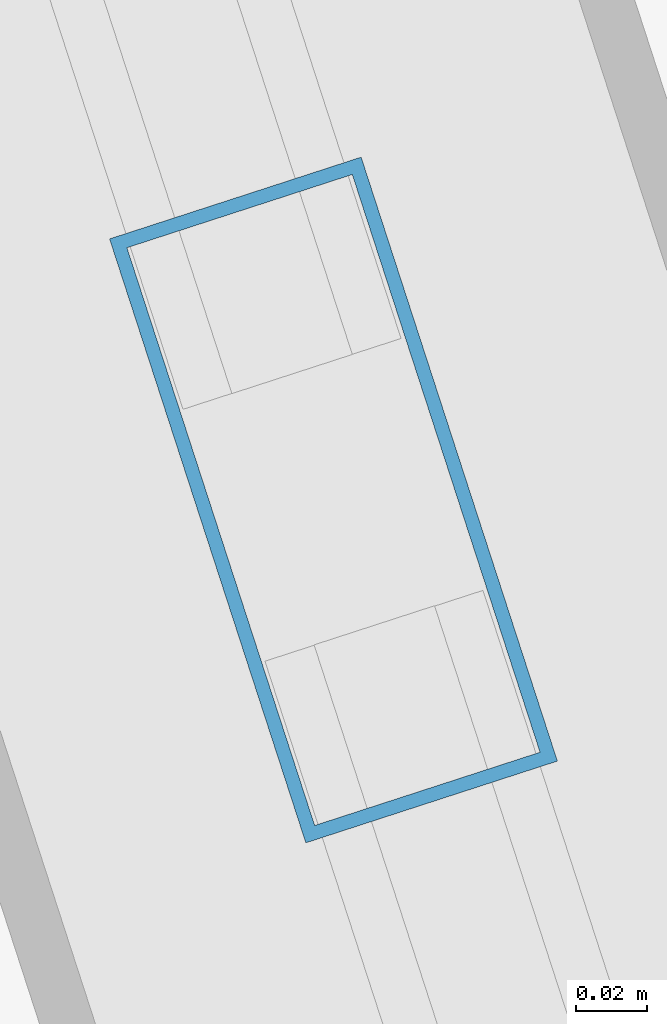
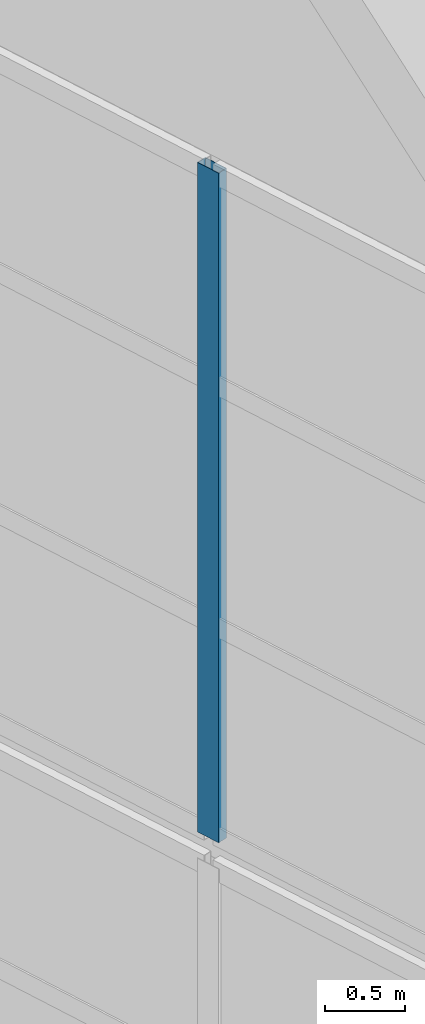
# One storey, part 9 of 56: 1 member, 1 element without a shape of its own.
"""IFC4 building model written with IfcOpenShell, lengths in metres."""

from ifc_helpers import new_model, si_unit, direction, frame, origin, origin_2d, place, context, subcontext, project, spatial, hollow_rectangle, extrude, material, layer, layer_set, material_profile, profile_set, type_object, element, aggregate, save


model = new_model("IFC4")

# Units and contexts
model_context = context("Model", 3, precision=1e-05, world=origin(), true_north=direction((0.0, 1.0)))
body_context = subcontext(model_context, "Body", "Model", "MODEL_VIEW")
ifc_project = project(units=[si_unit("LENGTHUNIT", "METRE"), si_unit("AREAUNIT", "SQUARE_METRE"), si_unit("VOLUMEUNIT", "CUBIC_METRE"), si_unit("PLANEANGLEUNIT", "RADIAN"), si_unit("MASSUNIT", "GRAM", prefix="KILO")], contexts=[model_context])

# Site, building, storey
site_placement = place(None, origin())
site = spatial("IfcSite", under=ifc_project, at=site_placement, CompositionType="ELEMENT")
building_placement = place(site_placement, origin())
building = spatial("IfcBuilding", under=site, at=building_placement, Name="Qiaolan Cultural Towers", CompositionType="ELEMENT")
storey_placement = place(building_placement, frame((0.0, 0.0, 250.39990234375)))
storey = spatial("IfcBuildingStorey", under=building, at=storey_placement, Name="L68", CompositionType="ELEMENT", Elevation=250.39990234375)

# Curtain wall, member
ifc_material_1 = material(Name="Unitized Anodized Aluminium Curtain Wall System", Category="aluminium")
ifc_layer = layer(ifc_material_1, 0.199951171875)
ifc_layer_set = layer_set([ifc_layer], Name="Unitized Anodized Aluminium Curtain Wall System")
curtain_wall_type = type_object("IfcCurtainWallType", Name="CWS-06", PredefinedType="NOTDEFINED", material=ifc_layer_set)
curtain_wall_placement = place(storey_placement, origin())
curtain_wall = element("IfcCurtainWall", 1, at=curtain_wall_placement, inside=storey, type_object=curtain_wall_type, Name="T2 Crown Tier 5 Fritted Screen Curtain Wall 7", PredefinedType="NOTDEFINED")
ifc_material_2 = material(Name="Extruded Aluminium 6063-T6", Category="aluminium")
ifc_material_profile = material_profile(ifc_material_2, hollow_rectangle(XDim=0.074951171875, YDim=0.179931640625, WallThickness=0.00390625, at=origin_2d()), Name="CWM-180x75x4")
ifc_profile_set = profile_set([ifc_material_profile], Name="Extruded Aluminium 6063-T6")
member_type = type_object("IfcMemberType", Name="CWS-06-MUL", PredefinedType="MULLION", material=ifc_profile_set)
member_placement = place(storey_placement, frame((75.641357421875, 33.3720703125, 21.300048828125), z_axis=(0.0, 0.0, 1.0), x_axis=(0.951056535512, 0.309016935232, 0.0)))
member = element("IfcMember", 2, at=member_placement, type_object=member_type, Name="CW-6 mullion 2", PredefinedType="MULLION", context=body_context, shape_type="SweptSolid", body=[
    extrude(hollow_rectangle(XDim=0.074951171875, YDim=0.179931640625, WallThickness=0.00390625, at=origin_2d()), origin(), (0.0, 0.0, 1.0), 5.10009765625),
])
aggregate(curtain_wall, [member])

save(model, "model.ifc")
